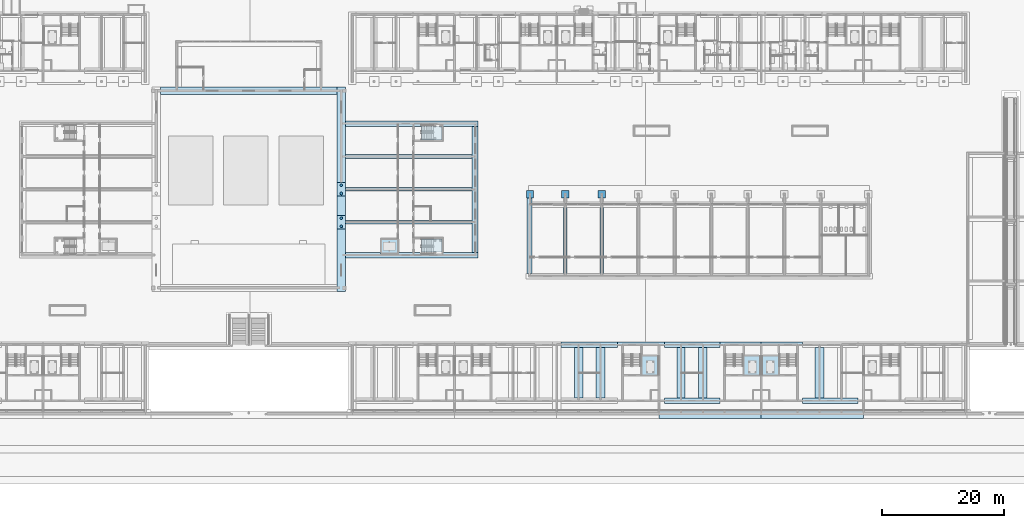
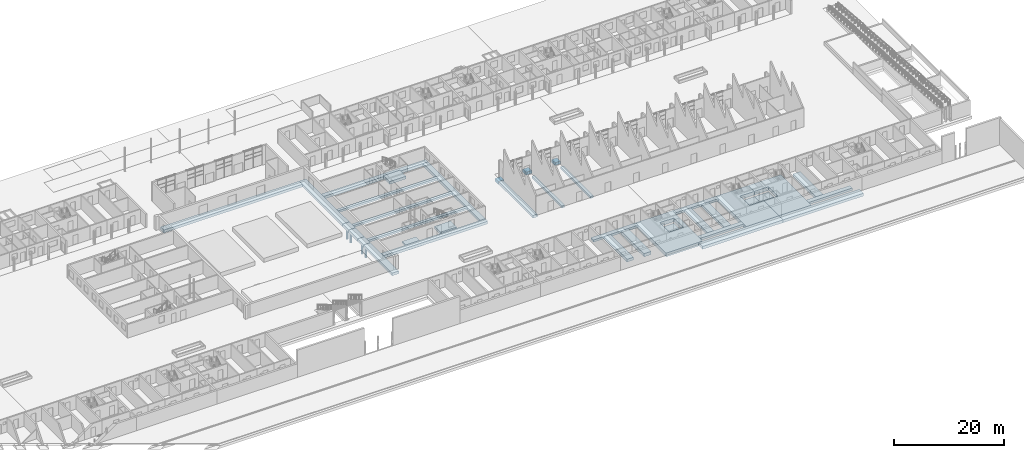
# One storey, part 4 of 112: 38 footings, 4 piles.
"""IFC4 building model written with IfcOpenShell, lengths in metres."""

from ifc_helpers import new_model, si_unit, direction, frame, origin, origin_2d, place, context, subcontext, project, spatial, polyline, circle, outline, extrude, material, material_profile, profile_set, type_object, element, save


model = new_model("IFC4")

# Units and contexts
model_context = context("Model", 3, precision=1e-05, world=origin(), true_north=direction((0.0, 1.0)))
body_context = subcontext(model_context, "Body", "Model", "MODEL_VIEW")
ifc_project = project(units=[si_unit("LENGTHUNIT", "METRE"), si_unit("AREAUNIT", "SQUARE_METRE"), si_unit("VOLUMEUNIT", "CUBIC_METRE"), si_unit("PLANEANGLEUNIT", "RADIAN"), si_unit("MASSUNIT", "GRAM", prefix="KILO")], contexts=[model_context])

# Site, building, storey
site_placement = place(None, origin())
site = spatial("IfcSite", under=ifc_project, at=site_placement, CompositionType="ELEMENT")
building_placement = place(site_placement, origin())
building = spatial("IfcBuilding", under=site, at=building_placement, Name="Ridgestep Commons", CompositionType="ELEMENT")
storey_placement = place(building_placement, origin())
storey = spatial("IfcBuildingStorey", under=building, at=storey_placement, Name="L00", CompositionType="ELEMENT", Elevation=0.0)

# Piles
ifc_material_1 = material(Name="Concrete C30/37", Category="concrete")
ifc_material_profile = material_profile(ifc_material_1, circle(Radius=0.22509765625, at=origin_2d()), Name="Pile D450")
ifc_profile_set = profile_set([ifc_material_profile], Name="Concrete C30/37")
pile_type = type_object("IfcPileType", Name="Bored pile 450", PredefinedType="BORED", material=ifc_profile_set)
for number, where, z_axis, x_axis, name in (
    (1, (145.0, 42.324951171875, -0.75), (0.0, 0.0, -1.0), (1.0, 0.0, 0.0), "Bored pile 450 hall E1.1"),
    (2, (145.0, 43.675048828125, -0.75), (0.0, 0.0, -1.0), (1.0, 0.0, 0.0), "Bored pile 450 hall E1.2"),
    (3, (145.0, 47.72509765625, -0.75), (0.0, 0.0, -1.0), (1.0, 0.0, 0.0), "Bored pile 450 hall E2.1"),
    (4, (145.0, 49.074951171875, -0.75), (0.0, 0.0, -1.0), (1.0, 0.0, 0.0), "Bored pile 450 hall E2.2"),
):
    element("IfcPile", number, at=place(storey_placement, frame(where, z_axis=z_axis, x_axis=x_axis)), inside=storey, type_object=pile_type, Name=name, PredefinedType="BORED", context=body_context, shape_type="SweptSolid", body=[
        extrude(circle(Radius=0.22509765625, at=origin_2d()), origin(), (0.0, 0.0, 1.0), 2.75),
    ])

# Footings
ifc_material_2 = material(Name="Concrete C30/37", Category="concrete")
footing_type_1 = type_object("IfcFootingType", Name="Community lift pit raft 3000 x 3400", PredefinedType="PAD_FOOTING", material=ifc_material_2)
footing_1_placement = place(storey_placement, frame((0.0, 0.0, -1.35009765625)))
element("IfcFooting", 5, at=footing_1_placement, inside=storey, type_object=footing_type_1, Name="Lift pit raft", PredefinedType="PAD_FOOTING", context=body_context, shape_type="SweptSolid", body=[
    extrude(outline(polyline([(151.449951171875, 37.75), (154.39990234375, 37.75), (154.39990234375, 40.35009765625), (151.449951171875, 40.35009765625), (151.449951171875, 37.75)])), origin(), (0.0, 0.0, 1.0), 0.300048828125),
])
ifc_material_3 = material(Name="Concrete C30/37", Category="concrete")
footing_type_2 = type_object("IfcFootingType", Name="Community pad footing 1200 x 1200", PredefinedType="PAD_FOOTING", material=ifc_material_3)
footing_2_placement = place(storey_placement, frame((0.0, 0.0, -0.85009765625)))
element("IfcFooting", 6, at=footing_2_placement, inside=storey, type_object=footing_type_2, Name="Pad footing 1200 x 1200", PredefinedType="PAD_FOOTING", context=body_context, shape_type="SweptSolid", body=[
    extrude(outline(polyline([(175.39990234375, 47.0), (176.60009765625, 47.0), (176.60009765625, 48.199951171875), (175.39990234375, 48.199951171875), (175.39990234375, 47.0)])), origin(), (0.0, 0.0, 1.0), 0.60009765625),
])
footing_3_placement = place(storey_placement, frame((0.0, 0.0, -0.85009765625)))
element("IfcFooting", 7, at=footing_3_placement, inside=storey, type_object=footing_type_2, Name="Pad footing 1200 x 1200", PredefinedType="PAD_FOOTING", context=body_context, shape_type="SweptSolid", body=[
    extrude(outline(polyline([(181.199951171875, 47.0), (182.39990234375, 47.0), (182.39990234375, 48.199951171875), (181.199951171875, 48.199951171875), (181.199951171875, 47.0)])), origin(), (0.0, 0.0, 1.0), 0.60009765625),
])
footing_4_placement = place(storey_placement, frame((0.0, 0.0, -0.85009765625)))
element("IfcFooting", 8, at=footing_4_placement, inside=storey, type_object=footing_type_2, Name="Pad footing 1200 x 1200", PredefinedType="PAD_FOOTING", context=body_context, shape_type="SweptSolid", body=[
    extrude(outline(polyline([(187.199951171875, 47.0), (188.39990234375, 47.0), (188.39990234375, 48.199951171875), (187.199951171875, 48.199951171875), (187.199951171875, 47.0)])), origin(), (0.0, 0.0, 1.0), 0.60009765625),
])
ifc_material_4 = material(Name="Concrete C30/37", Category="concrete")
footing_type_3 = type_object("IfcFootingType", Name="Community strip footing 1200 x 600", PredefinedType="STRIP_FOOTING", material=ifc_material_4)
footing_5_placement = place(storey_placement, frame((0.0, 0.0, -0.85009765625)))
element("IfcFooting", 9, at=footing_5_placement, inside=storey, type_object=footing_type_3, Name="Community strip footing 1200 x 600", PredefinedType="STRIP_FOOTING", context=body_context, shape_type="SweptSolid", body=[
    extrude(outline(polyline([(144.300048828125, 31.60009765625), (145.699951171875, 31.60009765625), (145.699951171875, 41.89990234375), (144.300048828125, 41.89990234375), (144.300048828125, 31.60009765625)])), origin(), (0.0, 0.0, 1.0), 0.60009765625),
])
footing_6_placement = place(storey_placement, frame((0.0, 0.0, -0.85009765625)))
element("IfcFooting", 10, at=footing_6_placement, inside=storey, type_object=footing_type_3, Name="Community strip footing 1200 x 600", PredefinedType="STRIP_FOOTING", context=body_context, shape_type="SweptSolid", body=[
    extrude(outline(polyline([(144.300048828125, 44.10009765625), (145.699951171875, 44.10009765625), (145.699951171875, 47.300048828125), (144.300048828125, 47.300048828125), (144.300048828125, 44.10009765625)])), origin(), (0.0, 0.0, 1.0), 0.60009765625),
])
footing_7_placement = place(storey_placement, frame((0.0, 0.0, -0.85009765625)))
element("IfcFooting", 11, at=footing_7_placement, inside=storey, type_object=footing_type_3, Name="Community strip footing 1200 x 600", PredefinedType="STRIP_FOOTING", context=body_context, shape_type="SweptSolid", body=[
    extrude(outline(polyline([(144.300048828125, 49.5), (145.699951171875, 49.5), (145.699951171875, 65.199951171875), (144.300048828125, 65.199951171875), (144.300048828125, 49.5)])), origin(), (0.0, 0.0, 1.0), 0.60009765625),
])
footing_8_placement = place(storey_placement, frame((0.0, 0.0, -0.85009765625)))
element("IfcFooting", 12, at=footing_8_placement, inside=storey, type_object=footing_type_3, Name="Community strip footing 1200 x 600", PredefinedType="STRIP_FOOTING", context=body_context, shape_type="SweptSolid", body=[
    extrude(outline(polyline([(115.300048828125, 64.0), (144.300048828125, 64.0), (144.300048828125, 65.199951171875), (115.300048828125, 65.199951171875), (115.300048828125, 64.0)])), origin(), (0.0, 0.0, 1.0), 0.60009765625),
])
ifc_material_5 = material(Name="Concrete C30/37", Category="concrete")
footing_type_4 = type_object("IfcFootingType", Name="Community strip footing 600 x 450", PredefinedType="STRIP_FOOTING", material=ifc_material_5)
footing_9_placement = place(storey_placement, frame((0.0, 0.0, -0.699951171875)))
element("IfcFooting", 13, at=footing_9_placement, inside=storey, type_object=footing_type_4, Name="Community strip footing 600 x 450", PredefinedType="STRIP_FOOTING", context=body_context, shape_type="SweptSolid", body=[
    extrude(outline(polyline([(145.699951171875, 42.699951171875), (166.449951171875, 42.699951171875), (166.449951171875, 43.300048828125), (145.699951171875, 43.300048828125), (145.699951171875, 42.699951171875)])), origin(), (0.0, 0.0, 1.0), 0.449951171875),
])
footing_10_placement = place(storey_placement, frame((0.0, 0.0, -0.699951171875)))
element("IfcFooting", 14, at=footing_10_placement, inside=storey, type_object=footing_type_4, Name="Community strip footing 600 x 450", PredefinedType="STRIP_FOOTING", context=body_context, shape_type="SweptSolid", body=[
    extrude(outline(polyline([(145.699951171875, 48.10009765625), (166.449951171875, 48.10009765625), (166.449951171875, 48.699951171875), (145.699951171875, 48.699951171875), (145.699951171875, 48.10009765625)])), origin(), (0.0, 0.0, 1.0), 0.449951171875),
])
footing_11_placement = place(storey_placement, frame((0.0, 0.0, -0.699951171875)))
element("IfcFooting", 15, at=footing_11_placement, inside=storey, type_object=footing_type_4, Name="Community strip footing 600 x 450", PredefinedType="STRIP_FOOTING", context=body_context, shape_type="SweptSolid", body=[
    extrude(outline(polyline([(145.699951171875, 53.5), (166.449951171875, 53.5), (166.449951171875, 54.10009765625), (145.699951171875, 54.10009765625), (145.699951171875, 53.5)])), origin(), (0.0, 0.0, 1.0), 0.449951171875),
])
footing_12_placement = place(storey_placement, frame((0.0, 0.0, -0.699951171875)))
element("IfcFooting", 16, at=footing_12_placement, inside=storey, type_object=footing_type_4, Name="Community strip footing 600 x 450", PredefinedType="STRIP_FOOTING", context=body_context, shape_type="SweptSolid", body=[
    extrude(outline(polyline([(181.5, 34.574951171875), (182.10009765625, 34.574951171875), (182.10009765625, 45.449951171875), (181.5, 45.449951171875), (181.5, 34.574951171875)])), origin(), (0.0, 0.0, 1.0), 0.449951171875),
])
footing_13_placement = place(storey_placement, frame((0.0, 0.0, -0.699951171875)))
element("IfcFooting", 17, at=footing_13_placement, inside=storey, type_object=footing_type_4, Name="Community strip footing 600 x 450", PredefinedType="STRIP_FOOTING", context=body_context, shape_type="SweptSolid", body=[
    extrude(outline(polyline([(187.5, 34.574951171875), (188.10009765625, 34.574951171875), (188.10009765625, 45.449951171875), (187.5, 45.449951171875), (187.5, 34.574951171875)])), origin(), (0.0, 0.0, 1.0), 0.449951171875),
])
ifc_material_6 = material(Name="Concrete C30/37", Category="concrete")
footing_type_5 = type_object("IfcFootingType", Name="Community strip footing 900 x 600", PredefinedType="STRIP_FOOTING", material=ifc_material_6)
footing_14_placement = place(storey_placement, frame((0.0, 0.0, -0.85009765625)))
element("IfcFooting", 18, at=footing_14_placement, inside=storey, type_object=footing_type_5, Name="Community strip footing 900 x 600", PredefinedType="STRIP_FOOTING", context=body_context, shape_type="SweptSolid", body=[
    extrude(outline(polyline([(145.699951171875, 37.14990234375), (167.5, 37.14990234375), (167.5, 38.050048828125), (145.699951171875, 38.050048828125), (145.699951171875, 37.14990234375)])), origin(), (0.0, 0.0, 1.0), 0.60009765625),
])
footing_15_placement = place(storey_placement, frame((0.0, 0.0, -0.85009765625)))
element("IfcFooting", 19, at=footing_15_placement, inside=storey, type_object=footing_type_5, Name="Community strip footing 900 x 600", PredefinedType="STRIP_FOOTING", context=body_context, shape_type="SweptSolid", body=[
    extrude(outline(polyline([(145.699951171875, 58.75), (167.5, 58.75), (167.5, 59.64990234375), (145.699951171875, 59.64990234375), (145.699951171875, 58.75)])), origin(), (0.0, 0.0, 1.0), 0.60009765625),
])
footing_16_placement = place(storey_placement, frame((0.0, 0.0, -0.85009765625)))
element("IfcFooting", 20, at=footing_16_placement, inside=storey, type_object=footing_type_5, Name="Community strip footing 900 x 600", PredefinedType="STRIP_FOOTING", context=body_context, shape_type="SweptSolid", body=[
    extrude(outline(polyline([(166.449951171875, 38.050048828125), (167.5, 38.050048828125), (167.5, 58.75), (166.449951171875, 58.75), (166.449951171875, 38.050048828125)])), origin(), (0.0, 0.0, 1.0), 0.60009765625),
])
footing_17_placement = place(storey_placement, frame((0.0, 0.0, -0.60009765625)))
element("IfcFooting", 21, at=footing_17_placement, inside=storey, type_object=footing_type_5, Name="Stair base footing", PredefinedType="STRIP_FOOTING", context=body_context, shape_type="SweptSolid", body=[
    extrude(outline(polyline([(158.169921875, 40.280029296875), (161.570068359375, 40.280029296875), (161.570068359375, 38.070068359375), (158.169921875, 38.070068359375), (158.169921875, 40.280029296875)])), origin(), (0.0, 0.0, 1.0), 0.60009765625),
])
footing_18_placement = place(storey_placement, frame((0.0, 0.0, -0.60009765625)))
element("IfcFooting", 22, at=footing_18_placement, inside=storey, type_object=footing_type_5, Name="Stair base footing", PredefinedType="STRIP_FOOTING", context=body_context, shape_type="SweptSolid", body=[
    extrude(outline(polyline([(161.570068359375, 56.52001953125), (158.169921875, 56.52001953125), (158.169921875, 58.72998046875), (161.570068359375, 58.72998046875), (161.570068359375, 56.52001953125)])), origin(), (0.0, 0.0, 1.0), 0.60009765625),
])
footing_19_placement = place(storey_placement, frame((0.0, 0.0, -0.85009765625)))
element("IfcFooting", 23, at=footing_19_placement, inside=storey, type_object=footing_type_5, Name="Community strip footing 900 x 600", PredefinedType="STRIP_FOOTING", context=body_context, shape_type="SweptSolid", body=[
    extrude(outline(polyline([(175.47509765625, 34.574951171875), (176.375, 34.574951171875), (176.375, 47.0), (175.47509765625, 47.0), (175.47509765625, 34.574951171875)])), origin(), (0.0, 0.0, 1.0), 0.60009765625),
])
ifc_material_7 = material(Name="Concrete C30/37", Category="concrete")
footing_type_6 = type_object("IfcFootingType", Name="Core footing 6800 x 11075 x 800", PredefinedType="PAD_FOOTING", material=ifc_material_7)
footing_20_placement = place(storey_placement, frame((0.0, 0.0, -1.050048828125)))
element("IfcFooting", 24, at=footing_20_placement, inside=storey, type_object=footing_type_6, Name="Core footing D4C", PredefinedType="PAD_FOOTING", context=body_context, shape_type="SweptSolid", body=[
    extrude(outline(polyline([(214.0, 12.25), (214.0, 17.75), (211.02490234375, 17.75), (211.02490234375, 21.14990234375), (214.0, 21.14990234375), (214.0, 23.324951171875), (207.199951171875, 23.324951171875), (207.199951171875, 12.25), (214.0, 12.25)])), origin(), (0.0, 0.0, 1.0), 0.800048828125),
])
footing_21_placement = place(storey_placement, frame((0.0, 0.0, -1.050048828125)))
element("IfcFooting", 25, at=footing_21_placement, inside=storey, type_object=footing_type_6, Name="Core footing D5C", PredefinedType="PAD_FOOTING", context=body_context, shape_type="SweptSolid", body=[
    extrude(outline(polyline([(214.0, 23.324951171875), (214.0, 21.14990234375), (216.97509765625, 21.14990234375), (216.97509765625, 17.75), (214.0, 17.75), (214.0, 12.25), (220.800048828125, 12.25), (220.800048828125, 23.324951171875), (214.0, 23.324951171875)])), origin(), (0.0, 0.0, 1.0), 0.800048828125),
])
ifc_material_8 = material(Name="Concrete C30/37", Category="concrete")
footing_type_7 = type_object("IfcFootingType", Name="Core footing 7700 x 11075 x 800", PredefinedType="PAD_FOOTING", material=ifc_material_8)
footing_22_placement = place(storey_placement, frame((0.0, 0.0, -1.050048828125)))
element("IfcFooting", 26, at=footing_22_placement, inside=storey, type_object=footing_type_7, Name="Core footing D3C", PredefinedType="PAD_FOOTING", context=body_context, shape_type="SweptSolid", body=[
    extrude(outline(polyline([(190.39990234375, 12.25), (198.10009765625, 12.25), (198.10009765625, 23.324951171875), (190.39990234375, 23.324951171875), (190.39990234375, 12.25)]), holes=[polyline([(197.199951171875, 21.14990234375), (197.199951171875, 17.75), (194.22509765625, 17.75), (194.22509765625, 21.14990234375), (197.199951171875, 21.14990234375)])]), origin(), (0.0, 0.0, 1.0), 0.800048828125),
])
ifc_material_9 = material(Name="Concrete C30/37", Category="concrete")
footing_type_8 = type_object("IfcFootingType", Name="Hall pile cap 2200 x 1400 x 600", PredefinedType="PILE_CAP", material=ifc_material_9)
footing_23_placement = place(storey_placement, frame((0.0, 0.0, -0.85009765625)))
element("IfcFooting", 27, at=footing_23_placement, inside=storey, type_object=footing_type_8, Name="Hall pile cap 2200 x 1400 x 600", PredefinedType="PILE_CAP", context=body_context, shape_type="SweptSolid", body=[
    extrude(outline(polyline([(144.300048828125, 41.89990234375), (145.699951171875, 41.89990234375), (145.699951171875, 44.10009765625), (144.300048828125, 44.10009765625), (144.300048828125, 41.89990234375)])), origin(), (0.0, 0.0, 1.0), 0.60009765625),
])
footing_24_placement = place(storey_placement, frame((0.0, 0.0, -0.85009765625)))
element("IfcFooting", 28, at=footing_24_placement, inside=storey, type_object=footing_type_8, Name="Hall pile cap 2200 x 1400 x 600", PredefinedType="PILE_CAP", context=body_context, shape_type="SweptSolid", body=[
    extrude(outline(polyline([(144.300048828125, 47.300048828125), (145.699951171875, 47.300048828125), (145.699951171875, 49.5), (144.300048828125, 49.5), (144.300048828125, 47.300048828125)])), origin(), (0.0, 0.0, 1.0), 0.60009765625),
])
ifc_material_10 = material(Name="Concrete C30/37", Category="concrete")
footing_type_9 = type_object("IfcFootingType", Name="Lift pit footing 2975 x 3400 x 400", PredefinedType="PAD_FOOTING", material=ifc_material_10)
footing_25_placement = place(storey_placement, frame((0.0, 0.0, -1.800048828125)))
element("IfcFooting", 29, at=footing_25_placement, inside=storey, type_object=footing_type_9, Name="Lift pit footing D3C", PredefinedType="PAD_FOOTING", context=body_context, shape_type="SweptSolid", body=[
    extrude(outline(polyline([(197.199951171875, 17.75), (197.199951171875, 21.14990234375), (194.22509765625, 21.14990234375), (194.22509765625, 17.75), (197.199951171875, 17.75)])), origin(), (0.0, 0.0, 1.0), 0.400146484375),
])
footing_26_placement = place(storey_placement, frame((0.0, 0.0, -1.800048828125)))
element("IfcFooting", 30, at=footing_26_placement, inside=storey, type_object=footing_type_9, Name="Lift pit footing D4C", PredefinedType="PAD_FOOTING", context=body_context, shape_type="SweptSolid", body=[
    extrude(outline(polyline([(214.0, 17.75), (214.0, 21.14990234375), (211.02490234375, 21.14990234375), (211.02490234375, 17.75), (214.0, 17.75)])), origin(), (0.0, 0.0, 1.0), 0.400146484375),
])
footing_27_placement = place(storey_placement, frame((0.0, 0.0, -1.800048828125)))
element("IfcFooting", 31, at=footing_27_placement, inside=storey, type_object=footing_type_9, Name="Lift pit footing D5C", PredefinedType="PAD_FOOTING", context=body_context, shape_type="SweptSolid", body=[
    extrude(outline(polyline([(216.97509765625, 17.75), (216.97509765625, 21.14990234375), (214.0, 21.14990234375), (214.0, 17.75), (216.97509765625, 17.75)])), origin(), (0.0, 0.0, 1.0), 0.400146484375),
])
ifc_material_11 = material(Name="Concrete C30/37", Category="concrete")
footing_type_10 = type_object("IfcFootingType", Name="Strip footing 1300 x 600", PredefinedType="STRIP_FOOTING", material=ifc_material_11)
footing_28_placement = place(storey_placement, frame((0.0, 0.0, -0.85009765625)))
element("IfcFooting", 32, at=footing_28_placement, inside=storey, type_object=footing_type_10, Name="Strip footing D line 2008", PredefinedType="STRIP_FOOTING", context=body_context, shape_type="SweptSolid", body=[
    extrude(outline(polyline([(201.449951171875, 14.10009765625), (201.449951171875, 22.425048828125), (200.14990234375, 22.425048828125), (200.14990234375, 14.10009765625), (201.449951171875, 14.10009765625)])), origin(), (0.0, 0.0, 1.0), 0.60009765625),
])
ifc_material_12 = material(Name="Concrete C30/37", Category="concrete")
footing_type_11 = type_object("IfcFootingType", Name="Strip footing 1400 x 600", PredefinedType="STRIP_FOOTING", material=ifc_material_12)
footing_29_placement = place(storey_placement, frame((0.0, 0.0, -0.85009765625)))
element("IfcFooting", 33, at=footing_29_placement, inside=storey, type_object=footing_type_11, Name="Strip footing D line 1840", PredefinedType="STRIP_FOOTING", context=body_context, shape_type="SweptSolid", body=[
    extrude(outline(polyline([(184.699951171875, 14.10009765625), (184.699951171875, 22.425048828125), (183.300048828125, 22.425048828125), (183.300048828125, 14.10009765625), (184.699951171875, 14.10009765625)])), origin(), (0.0, 0.0, 1.0), 0.60009765625),
])
footing_30_placement = place(storey_placement, frame((0.0, 0.0, -0.85009765625)))
element("IfcFooting", 34, at=footing_30_placement, inside=storey, type_object=footing_type_11, Name="Strip footing D line 2044", PredefinedType="STRIP_FOOTING", context=body_context, shape_type="SweptSolid", body=[
    extrude(outline(polyline([(205.10009765625, 14.10009765625), (205.10009765625, 22.425048828125), (203.699951171875, 22.425048828125), (203.699951171875, 14.10009765625), (205.10009765625, 14.10009765625)])), origin(), (0.0, 0.0, 1.0), 0.60009765625),
])
ifc_material_13 = material(Name="Concrete C30/37", Category="concrete")
footing_type_12 = type_object("IfcFootingType", Name="Strip footing 1500 x 600", PredefinedType="STRIP_FOOTING", material=ifc_material_13)
footing_31_placement = place(storey_placement, frame((0.0, 0.0, -0.85009765625)))
element("IfcFooting", 35, at=footing_31_placement, inside=storey, type_object=footing_type_12, Name="Retaining wall strip footing D south 4", PredefinedType="STRIP_FOOTING", context=body_context, shape_type="SweptSolid", body=[
    extrude(outline(polyline([(214.0, 10.75), (214.0, 12.25), (197.199951171875, 12.25), (197.199951171875, 10.75), (214.0, 10.75)])), origin(), (0.0, 0.0, 1.0), 0.60009765625),
])
footing_32_placement = place(storey_placement, frame((0.0, 0.0, -0.85009765625)))
element("IfcFooting", 36, at=footing_32_placement, inside=storey, type_object=footing_type_12, Name="Retaining wall strip footing D south 5", PredefinedType="STRIP_FOOTING", context=body_context, shape_type="SweptSolid", body=[
    extrude(outline(polyline([(230.800048828125, 10.75), (230.800048828125, 12.25), (214.0, 12.25), (214.0, 10.75), (230.800048828125, 10.75)])), origin(), (0.0, 0.0, 1.0), 0.60009765625),
])
ifc_material_14 = material(Name="Concrete C30/37", Category="concrete")
footing_type_13 = type_object("IfcFootingType", Name="Strip footing 1500 x 700", PredefinedType="STRIP_FOOTING", material=ifc_material_14)
footing_33_placement = place(storey_placement, frame((0.0, 0.0, -0.949951171875)))
element("IfcFooting", 37, at=footing_33_placement, inside=storey, type_object=footing_type_13, Name="Strip footing D line 1876", PredefinedType="STRIP_FOOTING", context=body_context, shape_type="SweptSolid", body=[
    extrude(outline(polyline([(188.35009765625, 14.10009765625), (188.35009765625, 22.425048828125), (186.85009765625, 22.425048828125), (186.85009765625, 14.10009765625), (188.35009765625, 14.10009765625)])), origin(), (0.0, 0.0, 1.0), 0.699951171875),
])
footing_34_placement = place(storey_placement, frame((0.0, 0.0, -0.949951171875)))
element("IfcFooting", 38, at=footing_34_placement, inside=storey, type_object=footing_type_13, Name="Strip footing D line 2236", PredefinedType="STRIP_FOOTING", context=body_context, shape_type="SweptSolid", body=[
    extrude(outline(polyline([(224.35009765625, 14.10009765625), (224.35009765625, 22.425048828125), (222.85009765625, 22.425048828125), (222.85009765625, 14.10009765625), (224.35009765625, 14.10009765625)])), origin(), (0.0, 0.0, 1.0), 0.699951171875),
])
ifc_material_15 = material(Name="Concrete C30/37", Category="concrete")
footing_type_14 = type_object("IfcFootingType", Name="Strip footing 900 x 500", PredefinedType="STRIP_FOOTING", material=ifc_material_15)
footing_35_placement = place(storey_placement, frame((0.0, 0.0, -0.75)))
element("IfcFooting", 39, at=footing_35_placement, inside=storey, type_object=footing_type_14, Name="Facade strip footing D N03", PredefinedType="STRIP_FOOTING", context=body_context, shape_type="SweptSolid", body=[
    extrude(outline(polyline([(190.39990234375, 22.425048828125), (190.39990234375, 23.324951171875), (181.10009765625, 23.324951171875), (181.10009765625, 22.425048828125), (190.39990234375, 22.425048828125)])), origin(), (0.0, 0.0, 1.0), 0.5),
])
footing_36_placement = place(storey_placement, frame((0.0, 0.0, -0.75)))
element("IfcFooting", 40, at=footing_36_placement, inside=storey, type_object=footing_type_14, Name="Facade strip footing D N04", PredefinedType="STRIP_FOOTING", context=body_context, shape_type="SweptSolid", body=[
    extrude(outline(polyline([(207.199951171875, 22.425048828125), (207.199951171875, 23.324951171875), (198.10009765625, 23.324951171875), (198.10009765625, 22.425048828125), (207.199951171875, 22.425048828125)])), origin(), (0.0, 0.0, 1.0), 0.5),
])
footing_37_placement = place(storey_placement, frame((0.0, 0.0, -0.75)))
element("IfcFooting", 41, at=footing_37_placement, inside=storey, type_object=footing_type_14, Name="Facade strip footing D S04", PredefinedType="STRIP_FOOTING", context=body_context, shape_type="SweptSolid", body=[
    extrude(outline(polyline([(207.199951171875, 13.199951171875), (207.199951171875, 14.10009765625), (198.10009765625, 14.10009765625), (198.10009765625, 13.199951171875), (207.199951171875, 13.199951171875)])), origin(), (0.0, 0.0, 1.0), 0.5),
])
footing_38_placement = place(storey_placement, frame((0.0, 0.0, -0.75)))
element("IfcFooting", 42, at=footing_38_placement, inside=storey, type_object=footing_type_14, Name="Facade strip footing D S05", PredefinedType="STRIP_FOOTING", context=body_context, shape_type="SweptSolid", body=[
    extrude(outline(polyline([(229.89990234375, 13.199951171875), (229.89990234375, 14.10009765625), (220.800048828125, 14.10009765625), (220.800048828125, 13.199951171875), (229.89990234375, 13.199951171875)])), origin(), (0.0, 0.0, 1.0), 0.5),
])

save(model, "model.ifc")
